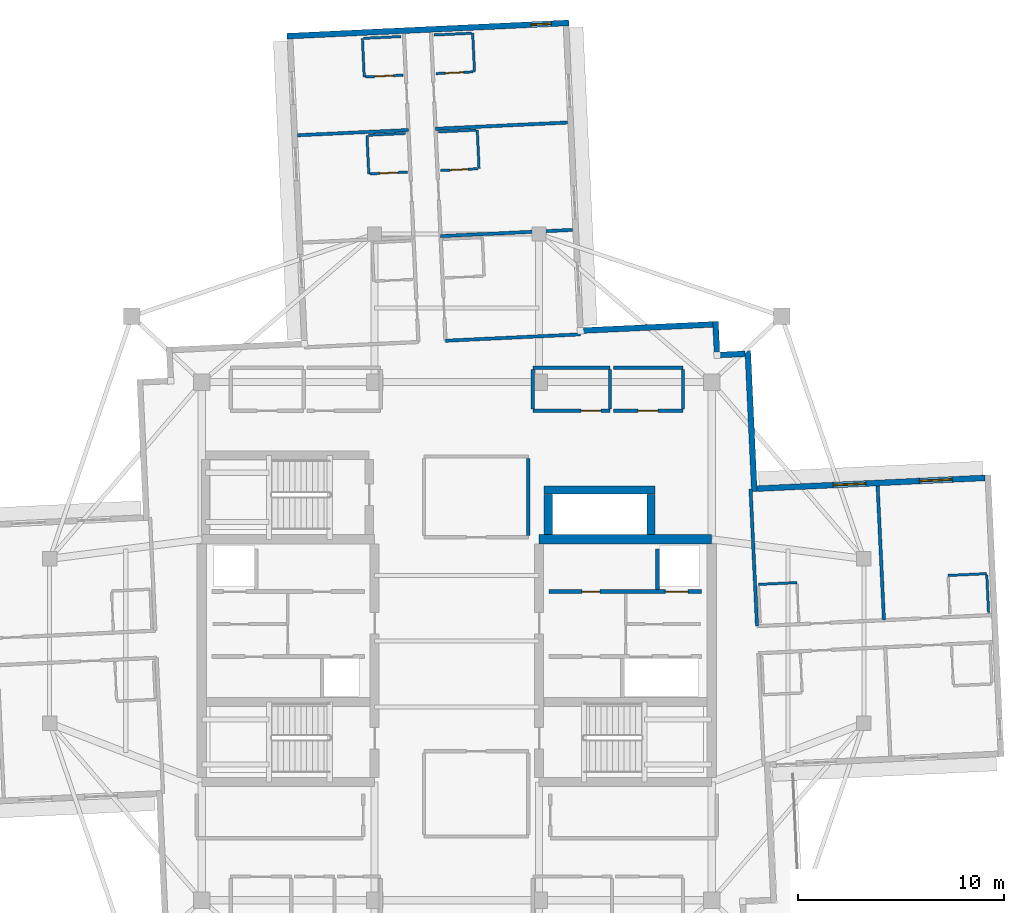
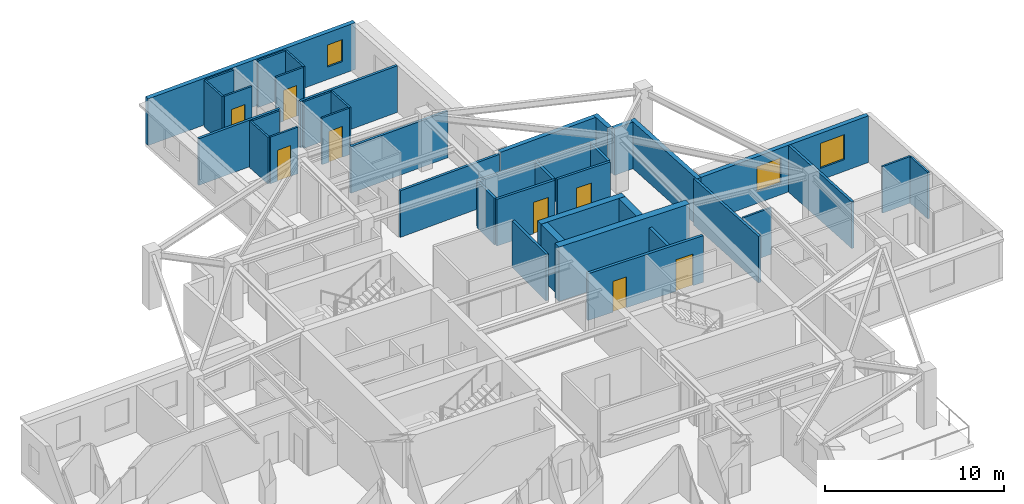
# One storey, part 8 of 13: 41 walls, 8 doors, 3 windows, 11 openings.
"""IFC4 building model written with IfcOpenShell, lengths in metres."""

from ifc_helpers import new_model, si_unit, direction, frame, frame_2d, origin, place, context, subcontext, project, spatial, rectangle, extrude, material, layer, layer_set, type_object, element, fill, save


model = new_model("IFC4")

# Units and contexts
model_context = context("Model", 3, precision=1e-05, world=origin(), true_north=direction((0.0, 1.0)))
body_context = subcontext(model_context, "Body", "Model", "MODEL_VIEW")
ifc_project = project(units=[si_unit("LENGTHUNIT", "METRE"), si_unit("AREAUNIT", "SQUARE_METRE"), si_unit("VOLUMEUNIT", "CUBIC_METRE"), si_unit("PLANEANGLEUNIT", "RADIAN"), si_unit("MASSUNIT", "GRAM", prefix="KILO")], contexts=[model_context])

# Site, building, storey
site_placement = place(None, origin())
site = spatial("IfcSite", under=ifc_project, at=site_placement, CompositionType="ELEMENT")
building_placement = place(site_placement, origin())
building = spatial("IfcBuilding", under=site, at=building_placement, Name="Qingluan Cross Belvedere", CompositionType="ELEMENT")
storey_placement = place(building_placement, frame((0.0, 0.0, 277.199951171875)))
storey = spatial("IfcBuildingStorey", under=building, at=storey_placement, Name="L69", CompositionType="ELEMENT", Elevation=277.199951171875)

# Walls
ifc_material_1 = material(Name="Concrete C50", Category="concrete")
ifc_layer_1 = layer(ifc_material_1, 0.449951171875, Name="CoreShearWall_450")
ifc_layer_set_1 = layer_set([ifc_layer_1], Name="Concrete C50")
wall_type_1 = type_object("IfcWallType", Name="CoreShearWall_450", PredefinedType="SHEAR", material=ifc_layer_set_1)
wall_1_placement = place(storey_placement, frame((4.0, 4.949951171875, 0.0), z_axis=(0.0, 0.0, 1.0), x_axis=(1.0, 0.0, 0.0)))
element("IfcWall", 1, at=wall_1_placement, inside=storey, type_object=wall_type_1, Name="Split core E shear wall L69-N", PredefinedType="SHEAR", context=body_context, shape_type="SweptSolid", body=[
    extrude(rectangle(XDim=8.39990234375, YDim=0.449951171875, at=frame_2d((4.199951171875, 0.0))), origin(), (0.0, 0.0, 1.0), 3.699951171875),
])
wall_2_placement = place(storey_placement, frame((4.449951171875, 5.179931640625, 0.0), z_axis=(0.0, 0.0, 1.0), x_axis=(0.0, 1.0, 0.0)))
element("IfcWall", 2, at=wall_2_placement, inside=storey, type_object=wall_type_1, Name="Express shuttle core wall L69-W", PredefinedType="SHEAR", context=body_context, shape_type="SweptSolid", body=[
    extrude(rectangle(XDim=1.9599609375, YDim=0.39990234375, at=frame_2d((0.97998046875, 0.0))), origin(), (0.0, 0.0, 1.0), 3.699951171875),
])
wall_3_placement = place(storey_placement, frame((4.25, 7.35009765625, 0.0), z_axis=(0.0, 0.0, 1.0), x_axis=(1.0, 0.0, 0.0)))
element("IfcWall", 3, at=wall_3_placement, inside=storey, type_object=wall_type_1, Name="Express shuttle core wall L69-N", PredefinedType="SHEAR", context=body_context, shape_type="SweptSolid", body=[
    extrude(rectangle(XDim=5.39990234375, YDim=0.39990234375, at=frame_2d((2.699951171875, 0.0))), origin(), (0.0, 0.0, 1.0), 3.699951171875),
])
wall_4_placement = place(storey_placement, frame((9.449951171875, 5.179931640625, 0.0), z_axis=(0.0, 0.0, 1.0), x_axis=(0.0, 1.0, 0.0)))
element("IfcWall", 4, at=wall_4_placement, inside=storey, type_object=wall_type_1, Name="Express shuttle core wall L69-E", PredefinedType="SHEAR", context=body_context, shape_type="SweptSolid", body=[
    extrude(rectangle(XDim=1.9599609375, YDim=0.39990234375, at=frame_2d((0.97998046875, 0.0))), origin(), (0.0, 0.0, 1.0), 3.699951171875),
])

# Wall, opening, door
ifc_material_2 = material(Name="Gypsum plasterboard on steel stud acoustic partition", Category="steel")
ifc_layer_2 = layer(ifc_material_2, 0.159912109375, Name="CorridorPartition_160")
ifc_layer_set_2 = layer_set([ifc_layer_2], Name="Gypsum plasterboard on steel stud acoustic partition")
wall_type_2 = type_object("IfcWallType", Name="CorridorPartition_160", PredefinedType="PARTITIONING", material=ifc_layer_set_2)
wall_5_placement = place(storey_placement, frame((3.699951171875, 11.199951171875, 0.0), z_axis=(0.0, 0.0, 1.0), x_axis=(1.0, 0.0, 0.0)))
wall_5 = element("IfcWall", 5, at=wall_5_placement, inside=storey, type_object=wall_type_2, Name="Partition L69:q_ne1:S", PredefinedType="PARTITIONING", context=body_context, shape_type="SweptSolid", body=[
    extrude(rectangle(XDim=3.75, YDim=0.159912109375, at=frame_2d((1.875, 0.0))), origin(), (0.0, 0.0, 1.0), 3.170166015625),
])
opening_1_placement = place(wall_5_placement, frame((2.344970703125, 0.0, 0.0)))
opening_1 = element("IfcOpeningElement", 6, at=opening_1_placement, cuts=wall_5, Name="Opening GD-10", PredefinedType="OPENING", context=body_context, shape_type="SweptSolid", body=[
    extrude(rectangle(XDim=0.9599609375, YDim=2.14990234375, at=frame_2d((0.47998046875, 1.074951171875))), frame((0.0, 0.08984375, 0.0), z_axis=(0.0, -1.0, 0.0), x_axis=(1.0, 0.0, 0.0)), (0.0, 0.0, 1.0), 0.179931640625),
])
ifc_material_3 = material(Name="Timber oak fire-rated acoustic guestroom door", Category="wood")
door_type_1 = type_object("IfcDoorType", Name="GuestEntryDoor_FD60", OperationType="NOTDEFINED", PredefinedType="DOOR", material=ifc_material_3)
door_1_placement = place(opening_1_placement, origin())
door_1 = element("IfcDoor", 7, at=door_1_placement, inside=storey, type_object=door_type_1, Name="Belvedere club lounge L69 door", OperationType="SINGLE_SWING_RIGHT", OverallHeight=2.14990234375, OverallWidth=0.9599609375, PredefinedType="DOOR", context=body_context, shape_type="SweptSolid", body=[
    extrude(rectangle(XDim=0.9599609375, YDim=2.14990234375, at=frame_2d((0.47998046875, 1.074951171875))), frame((0.0, 0.02490234375, 0.0), z_axis=(0.0, -1.0, 0.0), x_axis=(1.0, 0.0, 0.0)), (0.0, 0.0, 1.0), 0.050048828125),
])
fill(opening_1, door_1)

# Walls
wall_6_placement = place(storey_placement, frame((3.699951171875, 13.300048828125, 0.0), z_axis=(0.0, 0.0, 1.0), x_axis=(1.0, 0.0, 0.0)))
element("IfcWall", 8, at=wall_6_placement, inside=storey, type_object=wall_type_2, Name="Partition L69:q_ne1:N", PredefinedType="PARTITIONING", context=body_context, shape_type="SweptSolid", body=[
    extrude(rectangle(XDim=3.75, YDim=0.159912109375, at=frame_2d((1.875, 0.0))), origin(), (0.0, 0.0, 1.0), 3.170166015625),
])
for number, where, z_axis, x_axis, name in (
    (9, (3.699951171875, 11.284912109375, 0.0), (0.0, 0.0, 1.0), (0.0, 1.0, 0.0), "Partition L69:q_ne1:W"),
    (10, (7.449951171875, 11.284912109375, 0.0), (0.0, 0.0, 1.0), (0.0, 1.0, 0.0), "Partition L69:q_ne1:E"),
):
    element("IfcWall", number, at=place(storey_placement, frame(where, z_axis=z_axis, x_axis=x_axis)), inside=storey, type_object=wall_type_2, Name=name, PredefinedType="PARTITIONING", context=body_context, shape_type="SweptSolid", body=[
        extrude(rectangle(XDim=1.93017578125, YDim=0.159912109375, at=frame_2d((0.965087890625, 0.0))), origin(), (0.0, 0.0, 1.0), 3.170166015625),
    ])

# Wall, opening, door
wall_7_placement = place(storey_placement, frame((7.610107421875, 11.199951171875, 0.0), z_axis=(0.0, 0.0, 1.0), x_axis=(1.0, 0.0, 0.0)))
wall_7 = element("IfcWall", 11, at=wall_7_placement, inside=storey, type_object=wall_type_2, Name="Partition L69:q_ne2:S", PredefinedType="PARTITIONING", context=body_context, shape_type="SweptSolid", body=[
    extrude(rectangle(XDim=3.389892578125, YDim=0.159912109375, at=frame_2d((1.69482421875, 0.0))), origin(), (0.0, 0.0, 1.0), 3.170166015625),
])
opening_2_placement = place(wall_7_placement, frame((1.215087890625, 0.0, 0.0)))
opening_2 = element("IfcOpeningElement", 12, at=opening_2_placement, cuts=wall_7, Name="Opening GD-10", PredefinedType="OPENING", context=body_context, shape_type="SweptSolid", body=[
    extrude(rectangle(XDim=0.9599609375, YDim=2.14990234375, at=frame_2d((0.47998046875, 1.074951171875))), frame((0.0, 0.08984375, 0.0), z_axis=(0.0, -1.0, 0.0), x_axis=(1.0, 0.0, 0.0)), (0.0, 0.0, 1.0), 0.179931640625),
])
door_2_placement = place(opening_2_placement, origin())
door_2 = element("IfcDoor", 13, at=door_2_placement, inside=storey, type_object=door_type_1, Name="Northeast tea salon L69 door", OperationType="SINGLE_SWING_LEFT", OverallHeight=2.14990234375, OverallWidth=0.9599609375, PredefinedType="DOOR", context=body_context, shape_type="SweptSolid", body=[
    extrude(rectangle(XDim=0.9599609375, YDim=2.14990234375, at=frame_2d((0.47998046875, 1.074951171875))), frame((0.0, 0.02490234375, 0.0), z_axis=(0.0, -1.0, 0.0), x_axis=(1.0, 0.0, 0.0)), (0.0, 0.0, 1.0), 0.050048828125),
])
fill(opening_2, door_2)

# Walls
wall_8_placement = place(storey_placement, frame((7.610107421875, 13.300048828125, 0.0), z_axis=(0.0, 0.0, 1.0), x_axis=(1.0, 0.0, 0.0)))
element("IfcWall", 14, at=wall_8_placement, inside=storey, type_object=wall_type_2, Name="Partition L69:q_ne2:N", PredefinedType="PARTITIONING", context=body_context, shape_type="SweptSolid", body=[
    extrude(rectangle(XDim=3.389892578125, YDim=0.159912109375, at=frame_2d((1.69482421875, 0.0))), origin(), (0.0, 0.0, 1.0), 3.170166015625),
])
wall_9_placement = place(storey_placement, frame((11.0, 11.284912109375, 0.0), z_axis=(0.0, 0.0, 1.0), x_axis=(0.0, 1.0, 0.0)))
element("IfcWall", 15, at=wall_9_placement, inside=storey, type_object=wall_type_2, Name="Partition L69:q_ne2:E", PredefinedType="PARTITIONING", context=body_context, shape_type="SweptSolid", body=[
    extrude(rectangle(XDim=1.93017578125, YDim=0.159912109375, at=frame_2d((0.965087890625, 0.0))), origin(), (0.0, 0.0, 1.0), 3.170166015625),
])
wall_10_placement = place(storey_placement, frame((3.47998046875, 5.135009765625, 0.0), z_axis=(0.0, 0.0, 1.0), x_axis=(0.0, 1.0, 0.0)))
element("IfcWall", 16, at=wall_10_placement, inside=storey, type_object=wall_type_2, Name="Partition L69:sky_tea_alcove:E", PredefinedType="PARTITIONING", context=body_context, shape_type="SweptSolid", body=[
    extrude(rectangle(XDim=3.760009765625, YDim=0.159912109375, at=frame_2d((1.8798828125, 0.0))), origin(), (0.0, 0.0, 1.0), 3.170166015625),
])
wall_11_placement = place(storey_placement, frame((14.601806640625, 0.728759765625, 0.0), z_axis=(0.0, 0.0, 1.0), x_axis=(-0.04711191791, 0.99888961712, 0.0)))
element("IfcWall", 17, at=wall_11_placement, inside=storey, type_object=wall_type_2, Name="Partition L69:E:s0", PredefinedType="PARTITIONING", context=body_context, shape_type="SweptSolid", body=[
    extrude(rectangle(XDim=6.6796875, YDim=0.159912109375, at=frame_2d((3.33984375, 0.0))), origin(), (0.0, 0.0, 1.0), 3.170166015625),
])
wall_12_placement = place(storey_placement, frame((20.77490234375, 1.019775390625, 0.0), z_axis=(0.0, 0.0, 1.0), x_axis=(-0.047094553762, 0.998890435937, 0.0)))
element("IfcWall", 18, at=wall_12_placement, inside=storey, type_object=wall_type_2, Name="Partition L69:E:d0_0", PredefinedType="PARTITIONING", context=body_context, shape_type="SweptSolid", body=[
    extrude(rectangle(XDim=6.531982421875, YDim=0.159912109375, at=frame_2d((3.26611328125, 0.0))), origin(), (0.0, 0.0, 1.0), 3.170166015625),
])
wall_13_placement = place(storey_placement, frame((-0.548828125, 14.6103515625, 0.0), z_axis=(0.0, 0.0, 1.0), x_axis=(0.998889110349, 0.047122661496, 0.0)))
element("IfcWall", 19, at=wall_13_placement, inside=storey, type_object=wall_type_2, Name="Partition L69:N:s0", PredefinedType="PARTITIONING", context=body_context, shape_type="SweptSolid", body=[
    extrude(rectangle(XDim=6.579833984375, YDim=0.159912109375, at=frame_2d((3.2900390625, 0.0))), origin(), (0.0, 0.0, 1.0), 3.170166015625),
])
for number, where, z_axis, x_axis, name in (
    (20, (-0.788818359375, 19.69873046875, 0.0), (0.0, 0.0, 1.0), (0.99888993043, 0.047105274497, 0.0), "Partition L69:N:d0_0"),
    (21, (-1.034912109375, 24.919921875, 0.0), (0.0, 0.0, 1.0), (0.99888993043, 0.047105274497, 0.0), "Partition L69:N:d0_1"),
):
    element("IfcWall", number, at=place(storey_placement, frame(where, z_axis=z_axis, x_axis=x_axis)), inside=storey, type_object=wall_type_2, Name=name, PredefinedType="PARTITIONING", context=body_context, shape_type="SweptSolid", body=[
        extrude(rectangle(XDim=6.431884765625, YDim=0.159912109375, at=frame_2d((3.2158203125, 0.0))), origin(), (0.0, 0.0, 1.0), 3.170166015625),
    ])
wall_14_placement = place(storey_placement, frame((-2.353515625, 24.857666015625, 0.0), z_axis=(0.0, 0.0, 1.0), x_axis=(-0.99889066387, -0.04708971898, 0.0)))
element("IfcWall", 22, at=wall_14_placement, inside=storey, type_object=wall_type_2, Name="Partition L69:N:d1_1", PredefinedType="PARTITIONING", context=body_context, shape_type="SweptSolid", body=[
    extrude(rectangle(XDim=5.39208984375, YDim=0.159912109375, at=frame_2d((2.696044921875, 0.0))), origin(), (0.0, 0.0, 1.0), 3.170166015625),
])
ifc_material_4 = material(Name="Moisture-resistant gypsum board lining")
ifc_layer_3 = layer(ifc_material_4, 0.1201171875, Name="EnsuiteWetPartition_120")
ifc_layer_set_3 = layer_set([ifc_layer_3], Name="Moisture-resistant gypsum board lining")
wall_type_3 = type_object("IfcWallType", Name="EnsuiteWetPartition_120", PredefinedType="PARTITIONING", material=ifc_layer_set_3)
wall_15_placement = place(storey_placement, frame((14.666259765625, 2.7587890625, 0.0), z_axis=(0.0, 0.0, 1.0), x_axis=(0.998888319371, 0.047139425368, 0.0)))
element("IfcWall", 23, at=wall_15_placement, inside=storey, type_object=wall_type_3, Name="Partition L69:E:bn0_0", PredefinedType="PARTITIONING", context=body_context, shape_type="SweptSolid", body=[
    extrude(rectangle(XDim=1.880126953125, YDim=0.1201171875, at=frame_2d((0.93994140625, 0.0))), origin(), (0.0, 0.0, 1.0), 3.170166015625),
])
wall_16_placement = place(storey_placement, frame((25.86279296875, 1.39990234375, 0.0), z_axis=(0.0, 0.0, 1.0), x_axis=(-0.047087116047, 0.998890786574, 0.0)))
element("IfcWall", 24, at=wall_16_placement, inside=storey, type_object=wall_type_3, Name="Partition L69:E:bw0_1", PredefinedType="PARTITIONING", context=body_context, shape_type="SweptSolid", body=[
    extrude(rectangle(XDim=1.81982421875, YDim=0.1201171875, at=frame_2d((0.909912109375, 0.0))), origin(), (0.0, 0.0, 1.0), 3.170166015625),
])
wall_17_placement = place(storey_placement, frame((23.89599609375, 3.194091796875, 0.0), z_axis=(0.0, 0.0, 1.0), x_axis=(0.998888319371, 0.047139425368, 0.0)))
element("IfcWall", 25, at=wall_17_placement, inside=storey, type_object=wall_type_3, Name="Partition L69:E:bn0_1", PredefinedType="PARTITIONING", context=body_context, shape_type="SweptSolid", body=[
    extrude(rectangle(XDim=1.880126953125, YDim=0.1201171875, at=frame_2d((0.93994140625, 0.0))), origin(), (0.0, 0.0, 1.0), 3.170166015625),
])

# Wall, opening, door
wall_18_placement = place(storey_placement, frame((-0.799072265625, 22.888916015625, 0.0), z_axis=(0.0, 0.0, 1.0), x_axis=(0.998890786574, 0.047087116047, 0.0)))
wall_18 = element("IfcWall", 26, at=wall_18_placement, inside=storey, type_object=wall_type_3, Name="Partition L69:N:bs0_1", PredefinedType="PARTITIONING", context=body_context, shape_type="SweptSolid", body=[
    extrude(rectangle(XDim=1.81982421875, YDim=0.1201171875, at=frame_2d((0.909912109375, 0.0))), origin(), (0.0, 0.0, 1.0), 3.170166015625),
])
opening_3_placement = place(wall_18_placement, frame((0.469970703125, 0.0, 0.0)))
opening_3 = element("IfcOpeningElement", 27, at=opening_3_placement, cuts=wall_18, Name="Opening BD-09", PredefinedType="OPENING", context=body_context, shape_type="SweptSolid", body=[
    extrude(rectangle(XDim=0.8798828125, YDim=2.10009765625, at=frame_2d((0.43994140625, 1.050048828125))), frame((0.0, 0.070068359375, 0.0), z_axis=(0.0, -1.0, 0.0), x_axis=(1.0, 0.0, 0.0)), (0.0, 0.0, 1.0), 0.14013671875),
])
ifc_material_5 = material(Name="Moisture-sealed timber en-suite door", Category="wood")
door_type_2 = type_object("IfcDoorType", Name="BathroomDoor_880", OperationType="NOTDEFINED", PredefinedType="DOOR", material=ifc_material_5)
door_3_placement = place(opening_3_placement, origin())
door_3 = element("IfcDoor", 28, at=door_3_placement, inside=storey, type_object=door_type_2, Name="Bathroom door 6910", OperationType="SINGLE_SWING_RIGHT", OverallHeight=2.10009765625, OverallWidth=0.8798828125, PredefinedType="DOOR", context=body_context, shape_type="SweptSolid", body=[
    extrude(rectangle(XDim=0.8798828125, YDim=2.10009765625, at=frame_2d((0.43994140625, 1.050048828125))), frame((0.0, 0.02490234375, 0.0), z_axis=(0.0, -1.0, 0.0), x_axis=(1.0, 0.0, 0.0)), (0.0, 0.0, 1.0), 0.050048828125),
])
fill(opening_3, door_3)

# Walls
wall_19_placement = place(storey_placement, frame((-0.8876953125, 24.7666015625, 0.0), z_axis=(0.0, 0.0, 1.0), x_axis=(0.998891083954, 0.047080807099, 0.0)))
element("IfcWall", 29, at=wall_19_placement, inside=storey, type_object=wall_type_3, Name="Partition L69:N:bw0_1", PredefinedType="PARTITIONING", context=body_context, shape_type="SweptSolid", body=[
    extrude(rectangle(XDim=1.820068359375, YDim=0.1201171875, at=frame_2d((0.91015625, 0.0))), origin(), (0.0, 0.0, 1.0), 3.170166015625),
])
wall_20_placement = place(storey_placement, frame((1.083740234375, 22.9775390625, 0.0), z_axis=(0.0, 0.0, 1.0), x_axis=(-0.04700985207, 0.998894425757, 0.0)))
element("IfcWall", 30, at=wall_20_placement, inside=storey, type_object=wall_type_3, Name="Partition L69:N:bn0_1", PredefinedType="PARTITIONING", context=body_context, shape_type="SweptSolid", body=[
    extrude(rectangle(XDim=1.880126953125, YDim=0.1201171875, at=frame_2d((0.93994140625, 0.0))), origin(), (0.0, 0.0, 1.0), 3.170166015625),
])

# Wall, opening, door
wall_21_placement = place(storey_placement, frame((-1.021484375, 27.6025390625, 0.0), z_axis=(0.0, 0.0, 1.0), x_axis=(0.998891083954, 0.047080807099, 0.0)))
wall_21 = element("IfcWall", 31, at=wall_21_placement, inside=storey, type_object=wall_type_3, Name="Partition L69:N:bs0_2", PredefinedType="PARTITIONING", context=body_context, shape_type="SweptSolid", body=[
    extrude(rectangle(XDim=1.820068359375, YDim=0.1201171875, at=frame_2d((0.91015625, 0.0))), origin(), (0.0, 0.0, 1.0), 3.170166015625),
])
opening_4_placement = place(wall_21_placement, frame((0.469970703125, 0.0, 0.0)))
opening_4 = element("IfcOpeningElement", 32, at=opening_4_placement, cuts=wall_21, Name="Opening BD-09", PredefinedType="OPENING", context=body_context, shape_type="SweptSolid", body=[
    extrude(rectangle(XDim=0.8798828125, YDim=2.10009765625, at=frame_2d((0.43994140625, 1.050048828125))), frame((0.0, 0.070068359375, 0.0), z_axis=(0.0, -1.0, 0.0), x_axis=(1.0, 0.0, 0.0)), (0.0, 0.0, 1.0), 0.14013671875),
])
door_4_placement = place(opening_4_placement, origin())
door_4 = element("IfcDoor", 33, at=door_4_placement, inside=storey, type_object=door_type_2, Name="Bathroom door 6911", OperationType="SINGLE_SWING_RIGHT", OverallHeight=2.10009765625, OverallWidth=0.8798828125, PredefinedType="DOOR", context=body_context, shape_type="SweptSolid", body=[
    extrude(rectangle(XDim=0.8798828125, YDim=2.10009765625, at=frame_2d((0.43994140625, 1.050048828125))), frame((0.0, 0.02490234375, 0.0), z_axis=(0.0, -1.0, 0.0), x_axis=(1.0, 0.0, 0.0)), (0.0, 0.0, 1.0), 0.050048828125),
])
fill(opening_4, door_4)

# Walls
wall_22_placement = place(storey_placement, frame((-1.110107421875, 29.48046875, 0.0), z_axis=(0.0, 0.0, 1.0), x_axis=(0.998891083954, 0.047080807099, 0.0)))
element("IfcWall", 34, at=wall_22_placement, inside=storey, type_object=wall_type_3, Name="Partition L69:N:bw0_2", PredefinedType="PARTITIONING", context=body_context, shape_type="SweptSolid", body=[
    extrude(rectangle(XDim=1.820068359375, YDim=0.1201171875, at=frame_2d((0.91015625, 0.0))), origin(), (0.0, 0.0, 1.0), 3.170166015625),
])
wall_23_placement = place(storey_placement, frame((0.861572265625, 27.69140625, 0.0), z_axis=(0.0, 0.0, 1.0), x_axis=(-0.047145540913, 0.998888030748, 0.0)))
element("IfcWall", 35, at=wall_23_placement, inside=storey, type_object=wall_type_3, Name="Partition L69:N:bn0_2", PredefinedType="PARTITIONING", context=body_context, shape_type="SweptSolid", body=[
    extrude(rectangle(XDim=1.8798828125, YDim=0.1201171875, at=frame_2d((0.93994140625, 0.0))), origin(), (0.0, 0.0, 1.0), 3.170166015625),
])

# Wall, opening, door
wall_24_placement = place(storey_placement, frame((-4.21533203125, 22.727783203125, 0.0), z_axis=(0.0, 0.0, 1.0), x_axis=(0.998891083954, 0.047080807099, 0.0)))
wall_24 = element("IfcWall", 36, at=wall_24_placement, inside=storey, type_object=wall_type_3, Name="Partition L69:N:bs1_1", PredefinedType="PARTITIONING", context=body_context, shape_type="SweptSolid", body=[
    extrude(rectangle(XDim=1.820068359375, YDim=0.1201171875, at=frame_2d((0.91015625, 0.0))), origin(), (0.0, 0.0, 1.0), 3.170166015625),
])
opening_5_placement = place(wall_24_placement, frame((0.469970703125, 0.0, 0.0)))
opening_5 = element("IfcOpeningElement", 37, at=opening_5_placement, cuts=wall_24, Name="Opening BD-09", PredefinedType="OPENING", context=body_context, shape_type="SweptSolid", body=[
    extrude(rectangle(XDim=0.8798828125, YDim=2.10009765625, at=frame_2d((0.43994140625, 1.050048828125))), frame((0.0, 0.070068359375, 0.0), z_axis=(0.0, -1.0, 0.0), x_axis=(1.0, 0.0, 0.0)), (0.0, 0.0, 1.0), 0.14013671875),
])
door_5_placement = place(opening_5_placement, origin())
door_5 = element("IfcDoor", 38, at=door_5_placement, inside=storey, type_object=door_type_2, Name="Bathroom door 6913", OperationType="SINGLE_SWING_RIGHT", OverallHeight=2.10009765625, OverallWidth=0.8798828125, PredefinedType="DOOR", context=body_context, shape_type="SweptSolid", body=[
    extrude(rectangle(XDim=0.8798828125, YDim=2.10009765625, at=frame_2d((0.43994140625, 1.050048828125))), frame((0.0, 0.02490234375, 0.0), z_axis=(0.0, -1.0, 0.0), x_axis=(1.0, 0.0, 0.0)), (0.0, 0.0, 1.0), 0.050048828125),
])
fill(opening_5, door_5)

# Walls
wall_25_placement = place(storey_placement, frame((-4.303955078125, 24.605712890625, 0.0), z_axis=(0.0, 0.0, 1.0), x_axis=(0.998891083954, 0.047080807099, 0.0)))
element("IfcWall", 39, at=wall_25_placement, inside=storey, type_object=wall_type_3, Name="Partition L69:N:bw1_1", PredefinedType="PARTITIONING", context=body_context, shape_type="SweptSolid", body=[
    extrude(rectangle(XDim=1.820068359375, YDim=0.1201171875, at=frame_2d((0.91015625, 0.0))), origin(), (0.0, 0.0, 1.0), 3.170166015625),
])
wall_26_placement = place(storey_placement, frame((-4.2802734375, 22.724609375, 0.0), z_axis=(0.0, 0.0, 1.0), x_axis=(-0.047139425368, 0.998888319371, 0.0)))
element("IfcWall", 40, at=wall_26_placement, inside=storey, type_object=wall_type_3, Name="Partition L69:N:bc1_1", PredefinedType="PARTITIONING", context=body_context, shape_type="SweptSolid", body=[
    extrude(rectangle(XDim=1.880126953125, YDim=0.1201171875, at=frame_2d((0.93994140625, 0.0))), origin(), (0.0, 0.0, 1.0), 3.170166015625),
])

# Wall, opening, door
wall_27_placement = place(storey_placement, frame((-4.4375, 27.44140625, 0.0), z_axis=(0.0, 0.0, 1.0), x_axis=(0.998890786574, 0.047087116047, 0.0)))
wall_27 = element("IfcWall", 41, at=wall_27_placement, inside=storey, type_object=wall_type_3, Name="Partition L69:N:bs1_2", PredefinedType="PARTITIONING", context=body_context, shape_type="SweptSolid", body=[
    extrude(rectangle(XDim=1.81982421875, YDim=0.1201171875, at=frame_2d((0.909912109375, 0.0))), origin(), (0.0, 0.0, 1.0), 3.170166015625),
])
opening_6_placement = place(wall_27_placement, frame((0.469970703125, 0.0, 0.0)))
opening_6 = element("IfcOpeningElement", 42, at=opening_6_placement, cuts=wall_27, Name="Opening BD-09", PredefinedType="OPENING", context=body_context, shape_type="SweptSolid", body=[
    extrude(rectangle(XDim=0.8798828125, YDim=2.10009765625, at=frame_2d((0.43994140625, 1.050048828125))), frame((0.0, 0.070068359375, 0.0), z_axis=(0.0, -1.0, 0.0), x_axis=(1.0, 0.0, 0.0)), (0.0, 0.0, 1.0), 0.14013671875),
])
door_6_placement = place(opening_6_placement, origin())
door_6 = element("IfcDoor", 43, at=door_6_placement, inside=storey, type_object=door_type_2, Name="Bathroom door 6914", OperationType="SINGLE_SWING_RIGHT", OverallHeight=2.10009765625, OverallWidth=0.8798828125, PredefinedType="DOOR", context=body_context, shape_type="SweptSolid", body=[
    extrude(rectangle(XDim=0.8798828125, YDim=2.10009765625, at=frame_2d((0.43994140625, 1.050048828125))), frame((0.0, 0.02490234375, 0.0), z_axis=(0.0, -1.0, 0.0), x_axis=(1.0, 0.0, 0.0)), (0.0, 0.0, 1.0), 0.050048828125),
])
fill(opening_6, door_6)

# Walls
wall_28_placement = place(storey_placement, frame((-4.526123046875, 29.3193359375, 0.0), z_axis=(0.0, 0.0, 1.0), x_axis=(0.998890786574, 0.047087116047, 0.0)))
element("IfcWall", 44, at=wall_28_placement, inside=storey, type_object=wall_type_3, Name="Partition L69:N:bw1_2", PredefinedType="PARTITIONING", context=body_context, shape_type="SweptSolid", body=[
    extrude(rectangle(XDim=1.81982421875, YDim=0.1201171875, at=frame_2d((0.909912109375, 0.0))), origin(), (0.0, 0.0, 1.0), 3.170166015625),
])
wall_29_placement = place(storey_placement, frame((-4.50244140625, 27.4384765625, 0.0), z_axis=(0.0, 0.0, 1.0), x_axis=(-0.047139425368, 0.998888319371, 0.0)))
element("IfcWall", 45, at=wall_29_placement, inside=storey, type_object=wall_type_3, Name="Partition L69:N:bc1_2", PredefinedType="PARTITIONING", context=body_context, shape_type="SweptSolid", body=[
    extrude(rectangle(XDim=1.880126953125, YDim=0.1201171875, at=frame_2d((0.93994140625, 0.0))), origin(), (0.0, 0.0, 1.0), 3.170166015625),
])

# Wall, openings, windows
ifc_material_6 = material(Name="Precast concrete C45", Category="concrete")
ifc_layer_4 = layer(ifc_material_6, 0.280029296875, Name="PrecastFacadeWall_280")
ifc_layer_set_4 = layer_set([ifc_layer_4], Name="Precast concrete C45")
wall_type_4 = type_object("IfcWallType", Name="PrecastFacadeWall_280", PredefinedType="STANDARD", material=ifc_layer_set_4)
wall_30_placement = place(storey_placement, frame((25.694580078125, 7.939208984375, 0.0), z_axis=(0.0, 0.0, 1.0), x_axis=(-0.998889582088, -0.047112660681, 0.0)))
wall_30 = element("IfcWall", 46, at=wall_30_placement, inside=storey, type_object=wall_type_4, Name="Facade wall L69-EB", PredefinedType="STANDARD", context=body_context, shape_type="SweptSolid", body=[
    extrude(rectangle(XDim=11.099853515625, YDim=0.280029296875, at=frame_2d((5.5498046875, 0.0))), origin(), (0.0, 0.0, 1.0), 3.179931640625),
])
opening_7_placement = place(wall_30_placement, frame((1.60009765625, 0.0, 0.800048828125)))
opening_7 = element("IfcOpeningElement", 47, at=opening_7_placement, cuts=wall_30, Name="Opening W-04", PredefinedType="OPENING", context=body_context, shape_type="SweptSolid", body=[
    extrude(rectangle(XDim=1.60009765625, YDim=1.699951171875, at=frame_2d((0.800048828125, 0.85009765625))), frame((0.0, 0.14990234375, 0.0), z_axis=(0.0, -1.0, 0.0), x_axis=(1.0, 0.0, 0.0)), (0.0, 0.0, 1.0), 0.300048828125),
])
opening_8_placement = place(wall_30_placement, frame((5.800048828125, 0.0, 0.800048828125)))
opening_8 = element("IfcOpeningElement", 48, at=opening_8_placement, cuts=wall_30, Name="Opening W-04", PredefinedType="OPENING", context=body_context, shape_type="SweptSolid", body=[
    extrude(rectangle(XDim=1.60009765625, YDim=1.699951171875, at=frame_2d((0.800048828125, 0.85009765625))), frame((0.0, 0.14990234375, 0.0), z_axis=(0.0, -1.0, 0.0), x_axis=(1.0, 0.0, 0.0)), (0.0, 0.0, 1.0), 0.300048828125),
])
ifc_material_7 = material(Name="Thermally broken triple Low-E glass in aluminium frame", Category="aluminium")
window_type_1 = type_object("IfcWindowType", Name="SuiteCornerWin_1600x1700", PartitioningType="SINGLE_PANEL", PredefinedType="WINDOW", material=ifc_material_7)
window_1_placement = place(opening_7_placement, origin())
window_1 = element("IfcWindow", 49, at=window_1_placement, inside=storey, type_object=window_type_1, Name="Ribbon window L69-EB-1", OverallHeight=1.699951171875, OverallWidth=1.60009765625, PartitioningType="SINGLE_PANEL", PredefinedType="WINDOW", context=body_context, shape_type="SweptSolid", body=[
    extrude(rectangle(XDim=1.60009765625, YDim=1.699951171875, at=frame_2d((0.800048828125, 0.85009765625))), frame((0.0, 0.030029296875, 0.0), z_axis=(0.0, -1.0, 0.0), x_axis=(1.0, 0.0, 0.0)), (0.0, 0.0, 1.0), 0.06005859375),
])
fill(opening_7, window_1)
window_2_placement = place(opening_8_placement, origin())
window_2 = element("IfcWindow", 50, at=window_2_placement, inside=storey, type_object=window_type_1, Name="Ribbon window L69-EB-2", OverallHeight=1.699951171875, OverallWidth=1.60009765625, PartitioningType="SINGLE_PANEL", PredefinedType="WINDOW", context=body_context, shape_type="SweptSolid", body=[
    extrude(rectangle(XDim=1.60009765625, YDim=1.699951171875, at=frame_2d((0.800048828125, 0.85009765625))), frame((0.0, 0.030029296875, 0.0), z_axis=(0.0, -1.0, 0.0), x_axis=(1.0, 0.0, 0.0)), (0.0, 0.0, 1.0), 0.06005859375),
])
fill(opening_8, window_2)

# Wall, opening, window
wall_31_placement = place(storey_placement, frame((5.44970703125, 30.070068359375, 0.0), z_axis=(0.0, 0.0, 1.0), x_axis=(-0.998890092147, -0.047101845086, 0.0)))
wall_31 = element("IfcWall", 51, at=wall_31_placement, inside=storey, type_object=wall_type_4, Name="Arm tip precast facade wall L69-N", PredefinedType="STANDARD", context=body_context, shape_type="SweptSolid", body=[
    extrude(rectangle(XDim=13.719970703125, YDim=0.280029296875, at=frame_2d((6.85986328125, 0.0))), origin(), (0.0, 0.0, 1.0), 3.179931640625),
])
opening_9_placement = place(wall_31_placement, frame((0.85009765625, 0.0, 0.85009765625)))
opening_9 = element("IfcOpeningElement", 52, at=opening_9_placement, cuts=wall_31, Name="Opening W-03", PredefinedType="OPENING", context=body_context, shape_type="SweptSolid", body=[
    extrude(rectangle(XDim=1.0, YDim=1.5, at=frame_2d((0.5, 0.75))), frame((0.0, 0.14990234375, 0.0), z_axis=(0.0, -1.0, 0.0), x_axis=(1.0, 0.0, 0.0)), (0.0, 0.0, 1.0), 0.300048828125),
])
ifc_material_8 = material(Name="Thermally broken triple Low-E glass in aluminium frame", Category="aluminium")
window_type_2 = type_object("IfcWindowType", Name="TriApexWin_1000x1500", PartitioningType="SINGLE_PANEL", PredefinedType="WINDOW", material=ifc_material_8)
window_3_placement = place(opening_9_placement, origin())
window_3 = element("IfcWindow", 53, at=window_3_placement, inside=storey, type_object=window_type_2, Name="Arm tip triangular window L69-N", OverallHeight=1.5, OverallWidth=1.0, PartitioningType="SINGLE_PANEL", PredefinedType="WINDOW", context=body_context, shape_type="SweptSolid", body=[
    extrude(rectangle(XDim=1.0, YDim=1.5, at=frame_2d((0.5, 0.75))), frame((0.0, 0.030029296875, 0.0), z_axis=(0.0, -1.0, 0.0), x_axis=(1.0, 0.0, 0.0)), (0.0, 0.0, 1.0), 0.06005859375),
])
fill(opening_9, window_3)

# Walls
wall_32_placement = place(storey_placement, frame((14.4736328125, 7.27001953125, 0.0), z_axis=(0.0, 0.0, 1.0), x_axis=(-0.04712043756, 0.998889215261, 0.0)))
element("IfcWall", 54, at=wall_32_placement, inside=storey, type_object=wall_type_4, Name="Corner wall L69-NE1", PredefinedType="STANDARD", context=body_context, shape_type="SweptSolid", body=[
    extrude(rectangle(XDim=6.85986328125, YDim=0.280029296875, at=frame_2d((3.429931640625, 0.0))), origin(), (0.0, 0.0, 1.0), 3.179931640625),
])
wall_33_placement = place(storey_placement, frame((14.01708984375, 13.975830078125, 0.0), z_axis=(0.0, 0.0, 1.0), x_axis=(-0.998883930236, -0.047232339719, 0.0)))
element("IfcWall", 55, at=wall_33_placement, inside=storey, type_object=wall_type_4, Name="Corner wall L69-NE2", PredefinedType="STANDARD", context=body_context, shape_type="SweptSolid", body=[
    extrude(rectangle(XDim=1.219970703125, YDim=0.280029296875, at=frame_2d((0.60986328125, 0.0))), origin(), (0.0, 0.0, 1.0), 3.179931640625),
])
wall_34_placement = place(storey_placement, frame((12.652099609375, 14.051513671875, 0.0), z_axis=(0.0, 0.0, 1.0), x_axis=(-0.047039284441, 0.99889304018, 0.0)))
element("IfcWall", 56, at=wall_34_placement, inside=storey, type_object=wall_type_4, Name="Corner wall L69-NE3", PredefinedType="STANDARD", context=body_context, shape_type="SweptSolid", body=[
    extrude(rectangle(XDim=1.5, YDim=0.280029296875, at=frame_2d((0.75, 0.0))), origin(), (0.0, 0.0, 1.0), 3.179931640625),
])
wall_35_placement = place(storey_placement, frame((12.4482421875, 15.403564453125, 0.0), z_axis=(0.0, 0.0, 1.0), x_axis=(-0.998889082162, -0.047123258997, 0.0)))
element("IfcWall", 57, at=wall_35_placement, inside=storey, type_object=wall_type_4, Name="Corner wall L69-NE4", PredefinedType="STANDARD", context=body_context, shape_type="SweptSolid", body=[
    extrude(rectangle(XDim=6.300048828125, YDim=0.280029296875, at=frame_2d((3.14990234375, 0.0))), origin(), (0.0, 0.0, 1.0), 3.179931640625),
])

# Wall, openings, doors
ifc_material_9 = material(Name="Concrete C40", Category="concrete")
ifc_layer_5 = layer(ifc_material_9, 0.219970703125, Name="ShaftEnclosureWall_250")
ifc_layer_set_5 = layer_set([ifc_layer_5], Name="Concrete C40")
wall_type_5 = type_object("IfcWallType", Name="ShaftEnclosureWall_250", PredefinedType="SOLIDWALL", material=ifc_layer_set_5)
wall_36_placement = place(storey_placement, frame((4.47998046875, 2.409912109375, 0.0), z_axis=(0.0, 0.0, 1.0), x_axis=(1.0, 0.0, 0.0)))
wall_36 = element("IfcWall", 58, at=wall_36_placement, inside=storey, type_object=wall_type_5, Name="Core-E north hoistway wall L69", PredefinedType="SOLIDWALL", context=body_context, shape_type="SweptSolid", body=[
    extrude(rectangle(XDim=7.419921875, YDim=0.179931640625, at=frame_2d((3.7099609375, 0.0))), origin(), (0.0, 0.0, 1.0), 3.170166015625),
])
opening_10_placement = place(wall_36_placement, frame((5.669921875, 0.0, 0.0)))
opening_10 = element("IfcOpeningElement", 59, at=opening_10_placement, cuts=wall_36, Name="Opening LD-11", PredefinedType="OPENING", context=body_context, shape_type="SweptSolid", body=[
    extrude(rectangle(XDim=1.10009765625, YDim=2.14990234375, at=frame_2d((0.550048828125, 1.074951171875))), frame((0.0, 0.099853515625, 0.0), z_axis=(0.0, -1.0, 0.0), x_axis=(1.0, 0.0, 0.0)), (0.0, 0.0, 1.0), 0.199951171875),
])
opening_11_placement = place(wall_36_placement, frame((1.60009765625, 0.0, 0.0)))
opening_11 = element("IfcOpeningElement", 60, at=opening_11_placement, cuts=wall_36, Name="Opening FD-B10", PredefinedType="OPENING", context=body_context, shape_type="SweptSolid", body=[
    extrude(rectangle(XDim=0.8798828125, YDim=2.10009765625, at=frame_2d((0.43994140625, 1.050048828125))), frame((0.0, 0.099853515625, 0.0), z_axis=(0.0, -1.0, 0.0), x_axis=(1.0, 0.0, 0.0)), (0.0, 0.0, 1.0), 0.199951171875),
])
ifc_material_10 = material(Name="Brushed stainless steel centre-opening lift landing door", Category="steel")
door_type_3 = type_object("IfcDoorType", Name="LiftLandingSlidingDoor_1100", OperationType="DOUBLE_DOOR_SLIDING", PredefinedType="DOOR", material=ifc_material_10)
door_7_placement = place(opening_10_placement, origin())
door_7 = element("IfcDoor", 61, at=door_7_placement, inside=storey, type_object=door_type_3, Name="Lift landing sliding door FL2 L69", OperationType="DOUBLE_DOOR_SLIDING", OverallHeight=2.14990234375, OverallWidth=1.10009765625, PredefinedType="DOOR", context=body_context, shape_type="SweptSolid", body=[
    extrude(rectangle(XDim=1.10009765625, YDim=2.14990234375, at=frame_2d((0.550048828125, 1.074951171875))), frame((0.0, 0.02490234375, 0.0), z_axis=(0.0, -1.0, 0.0), x_axis=(1.0, 0.0, 0.0)), (0.0, 0.0, 1.0), 0.050048828125),
])
fill(opening_10, door_7)
ifc_material_11 = material(Name="Steel Class B service fire door", Category="steel")
door_type_4 = type_object("IfcDoorType", Name="RiserServiceFireDoor_FDB", OperationType="NOTDEFINED", PredefinedType="DOOR", material=ifc_material_11)
door_8_placement = place(opening_11_placement, origin())
door_8 = element("IfcDoor", 62, at=door_8_placement, inside=storey, type_object=door_type_4, Name="Pantry room door E L69", OperationType="SINGLE_SWING_LEFT", OverallHeight=2.10009765625, OverallWidth=0.8798828125, PredefinedType="DOOR", context=body_context, shape_type="SweptSolid", body=[
    extrude(rectangle(XDim=0.8798828125, YDim=2.10009765625, at=frame_2d((0.43994140625, 1.050048828125))), frame((0.0, 0.02490234375, 0.0), z_axis=(0.0, -1.0, 0.0), x_axis=(1.0, 0.0, 0.0)), (0.0, 0.0, 1.0), 0.050048828125),
])
fill(opening_11, door_8)

# Wall
wall_37_placement = place(storey_placement, frame((9.760009765625, 2.5, 0.0), z_axis=(0.0, 0.0, 1.0), x_axis=(0.0, 1.0, 0.0)))
element("IfcWall", 63, at=wall_37_placement, inside=storey, type_object=wall_type_5, Name="Hoistway enclosure divider FL2W L69", PredefinedType="SOLIDWALL", context=body_context, shape_type="SweptSolid", body=[
    extrude(rectangle(XDim=1.989990234375, YDim=0.179931640625, at=frame_2d((0.9951171875, 0.0))), origin(), (0.0, 0.0, 1.0), 3.170166015625),
])

save(model, "model.ifc")
